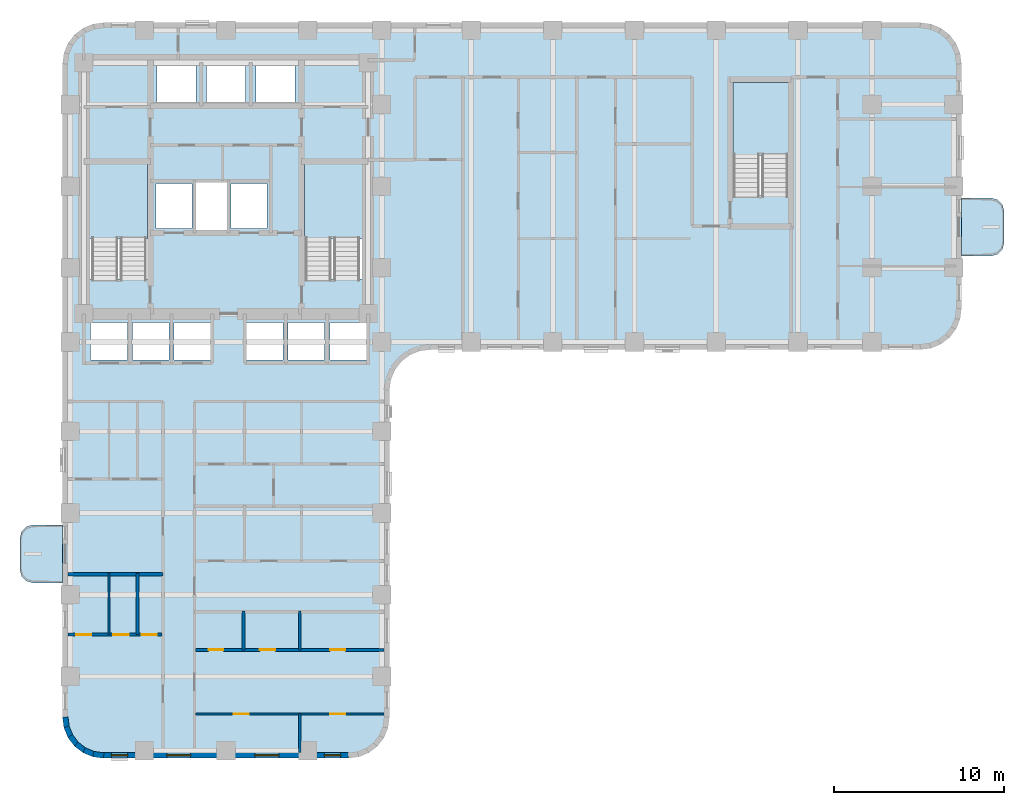
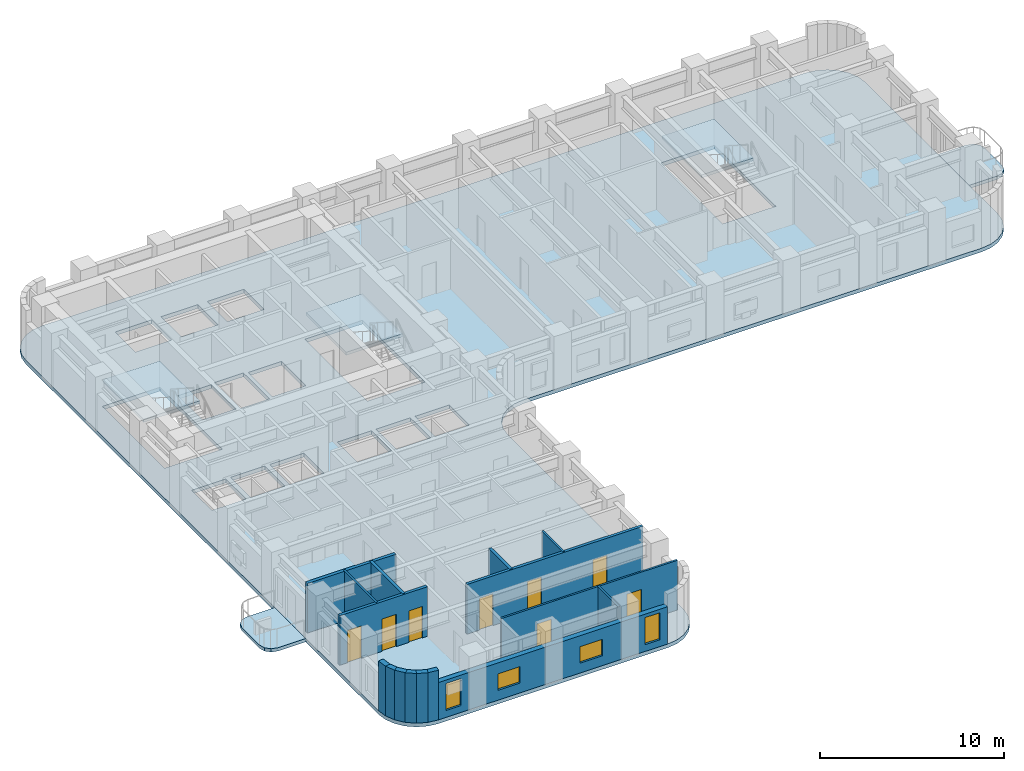
# One storey, part 2 of 11: 16 walls, 8 doors, 6 slabs, 4 windows, 12 openings, 3 elements without a shape of their own.
"""IFC4 building model written with IfcOpenShell, lengths in metres."""

from ifc_helpers import new_model, si_unit, direction, frame, frame_2d, origin, place, context, subcontext, project, spatial, polyline, rectangle, outline, extrude, material, layer, layer_set, type_object, element, fill, aggregate, save


model = new_model("IFC4")

# Units and contexts
model_context = context("Model", 3, precision=1e-05, world=origin(), true_north=direction((0.0, 1.0)))
body_context = subcontext(model_context, "Body", "Model", "MODEL_VIEW")
ifc_project = project(units=[si_unit("LENGTHUNIT", "METRE"), si_unit("AREAUNIT", "SQUARE_METRE"), si_unit("VOLUMEUNIT", "CUBIC_METRE"), si_unit("PLANEANGLEUNIT", "RADIAN"), si_unit("MASSUNIT", "GRAM", prefix="KILO")], contexts=[model_context])

# Site, building, storey
site_placement = place(None, origin())
site = spatial("IfcSite", under=ifc_project, at=site_placement, CompositionType="ELEMENT")
building_placement = place(site_placement, origin())
building = spatial("IfcBuilding", under=site, at=building_placement, Name="Orvandelia Arch Residences", CompositionType="ELEMENT")
storey_placement = place(building_placement, frame((0.0, 0.0, 93.39990234375)))
storey = spatial("IfcBuildingStorey", under=building, at=storey_placement, Name="L24", CompositionType="ELEMENT", Elevation=93.39990234375)

# Slabs
ifc_material_1 = material(Name="Precast concrete C40/50", Category="concrete")
ifc_layer_1 = layer(ifc_material_1, 0.219970703125, Name="Precast concrete C40/50", Category="concrete")
ifc_layer_set_1 = layer_set([ifc_layer_1], Name="Precast concrete C40/50")
slab_type_1 = type_object("IfcSlabType", Name="SLB-BAL-220", PredefinedType="USERDEFINED", material=ifc_layer_set_1)
slab_1_placement = place(storey_placement, frame((0.0, 0.0, -0.219970703125)))
element("IfcSlab", 1, at=slab_1_placement, inside=storey, type_object=slab_type_1, Name="Tree Balcony Cantilever Slab BAL-L24-W1", ObjectType="BALCONY", PredefinedType="USERDEFINED", context=body_context, shape_type="SweptSolid", body=[
    extrude(outline(polyline([(4.800048828125, 15.10009765625), (4.800048828125, 18.5), (3.050048828125, 18.5), (2.675048828125, 18.3994140625), (2.400390625, 18.125), (2.300048828125, 17.75), (2.300048828125, 15.85009765625), (2.400390625, 15.47509765625), (2.675048828125, 15.200439453125), (3.050048828125, 15.10009765625), (4.800048828125, 15.10009765625)])), origin(), (0.0, 0.0, 1.0), 0.219970703125),
])
slab_2_placement = place(storey_placement, frame((0.0, 0.0, -0.219970703125)))
element("IfcSlab", 2, at=slab_2_placement, inside=storey, type_object=slab_type_1, Name="Tree Balcony Cantilever Slab BAL-L24-E1", ObjectType="BALCONY", PredefinedType="USERDEFINED", context=body_context, shape_type="SweptSolid", body=[
    extrude(outline(polyline([(57.60009765625, 37.699951171875), (57.60009765625, 34.300048828125), (59.35009765625, 34.300048828125), (59.72509765625, 34.400390625), (59.99951171875, 34.675048828125), (60.10009765625, 35.050048828125), (60.10009765625, 36.949951171875), (59.99951171875, 37.324951171875), (59.72509765625, 37.599609375), (59.35009765625, 37.699951171875), (57.60009765625, 37.699951171875)])), origin(), (0.0, 0.0, 1.0), 0.219970703125),
])

# Stair, slab
ifc_material_2 = material(Name="Concrete C40/50", Category="concrete")
stair_type = type_object("IfcStairType", Name="STAIR-RC-DOGLEG", PredefinedType="HALF_TURN_STAIR", material=ifc_material_2)
stair_1_placement = place(storey_placement, origin())
stair_1 = element("IfcStair", 3, at=stair_1_placement, inside=storey, type_object=stair_type, Name="L24 Protected Exit Stair ST-1", PredefinedType="HALF_TURN_STAIR")
ifc_layer_2 = layer(ifc_material_2, 0.219970703125, Name="Concrete C40/50", Category="concrete")
ifc_layer_set_2 = layer_set([ifc_layer_2], Name="Concrete C40/50")
slab_type_2 = type_object("IfcSlabType", Name="SLB-LANDING-220", PredefinedType="LANDING", material=ifc_layer_set_2)
slab_3_placement = place(storey_placement, frame((0.0, 0.0, 1.60009765625)))
slab_3 = element("IfcSlab", 4, at=slab_3_placement, type_object=slab_type_2, Name="ST-1 landing 1", PredefinedType="LANDING", context=body_context, shape_type="SweptSolid", body=[
    extrude(outline(polyline([(9.800048828125, 35.31005859375), (9.800048828125, 39.68994140625), (6.260009765625, 39.68994140625), (6.260009765625, 35.31005859375), (9.800048828125, 35.31005859375)])), origin(), (0.0, 0.0, 1.0), 0.199951171875),
])
aggregate(stair_1, [slab_3])

stair_2_placement = place(storey_placement, origin())
stair_2 = element("IfcStair", 5, at=stair_2_placement, inside=storey, type_object=stair_type, Name="L24 Protected Exit Stair ST-2", PredefinedType="HALF_TURN_STAIR")
slab_4_placement = place(storey_placement, frame((0.0, 0.0, 1.60009765625)))
slab_4 = element("IfcSlab", 6, at=slab_4_placement, type_object=slab_type_2, Name="ST-2 landing 1", PredefinedType="LANDING", context=body_context, shape_type="SweptSolid", body=[
    extrude(outline(polyline([(22.5400390625, 35.31005859375), (22.5400390625, 39.68994140625), (19.0, 39.68994140625), (19.0, 35.31005859375), (22.5400390625, 35.31005859375)])), origin(), (0.0, 0.0, 1.0), 0.199951171875),
])
aggregate(stair_2, [slab_4])

stair_3_placement = place(storey_placement, origin())
stair_3 = element("IfcStair", 7, at=stair_3_placement, inside=storey, type_object=stair_type, Name="L24 East Wing Exit Stair ST-3", PredefinedType="HALF_TURN_STAIR")
slab_5_placement = place(storey_placement, frame((0.0, 0.0, 1.60009765625)))
slab_5 = element("IfcSlab", 8, at=slab_5_placement, type_object=slab_type_2, Name="ST-3 landing 1", PredefinedType="LANDING", context=body_context, shape_type="SweptSolid", body=[
    extrude(outline(polyline([(47.43994140625, 40.2099609375), (47.43994140625, 44.5), (44.179931640625, 44.5), (44.179931640625, 40.2099609375), (47.43994140625, 40.2099609375)])), origin(), (0.0, 0.0, 1.0), 0.199951171875),
])
aggregate(stair_3, [slab_5])

# Slab
ifc_layer_3 = layer(ifc_material_2, 0.25, Name="Concrete C40/50", Category="concrete")
ifc_layer_set_3 = layer_set([ifc_layer_3], Name="Concrete C40/50")
slab_type_3 = type_object("IfcSlabType", Name="SLB-TWR-250", PredefinedType="FLOOR", material=ifc_layer_set_3)
slab_6_placement = place(storey_placement, frame((0.0, 0.0, -0.25)))
element("IfcSlab", 9, at=slab_6_placement, inside=storey, type_object=slab_type_3, Name="Structural Floor Slab L24-1", PredefinedType="FLOOR", context=body_context, shape_type="SweptSolid", body=[
    extrude(outline(polyline([(4.800048828125, 7.199951171875), (4.8818359375, 6.578857421875), (5.12158203125, 6.0), (5.5029296875, 5.5029296875), (6.0, 5.12158203125), (6.578857421875, 4.8818359375), (7.199951171875, 4.800048828125), (21.60009765625, 4.800048828125), (22.22119140625, 4.8818359375), (22.800048828125, 5.12158203125), (23.297119140625, 5.5029296875), (23.678466796875, 6.0), (23.918212890625, 6.578857421875), (24.0, 7.199951171875), (24.0, 26.39990234375), (24.081787109375, 27.021240234375), (24.321533203125, 27.60009765625), (24.702880859375, 28.09716796875), (25.199951171875, 28.478515625), (25.77880859375, 28.71826171875), (26.39990234375, 28.800048828125), (55.199951171875, 28.800048828125), (55.8212890625, 28.8818359375), (56.39990234375, 29.12158203125), (56.897216796875, 29.5029296875), (57.278564453125, 30.0), (57.518310546875, 30.578857421875), (57.60009765625, 31.199951171875), (57.60009765625, 45.60009765625), (57.518310546875, 46.22119140625), (57.278564453125, 46.800048828125), (56.897216796875, 47.297119140625), (56.39990234375, 47.678466796875), (55.8212890625, 47.918212890625), (55.199951171875, 48.0), (7.199951171875, 48.0), (6.578857421875, 47.918212890625), (6.0, 47.678466796875), (5.5029296875, 47.297119140625), (5.12158203125, 46.800048828125), (4.8818359375, 46.22119140625), (4.800048828125, 45.60009765625), (4.800048828125, 7.199951171875)]), holes=[polyline([(6.219970703125, 32.949951171875), (9.840087890625, 32.949951171875), (9.840087890625, 39.72998046875), (6.219970703125, 39.72998046875), (6.219970703125, 32.949951171875)]), polyline([(18.9599609375, 32.949951171875), (22.580078125, 32.949951171875), (22.580078125, 39.72998046875), (18.9599609375, 39.72998046875), (18.9599609375, 32.949951171875)]), polyline([(44.139892578125, 37.85009765625), (47.47998046875, 37.85009765625), (47.47998046875, 44.5400390625), (44.139892578125, 44.5400390625), (44.139892578125, 37.85009765625)]), polyline([(12.639892578125, 35.81005859375), (14.4599609375, 35.81005859375), (14.4599609375, 38.639892578125), (12.639892578125, 38.639892578125), (12.639892578125, 35.81005859375)]), polyline([(10.300048828125, 35.89990234375), (12.39990234375, 35.89990234375), (12.39990234375, 38.550048828125), (10.300048828125, 38.550048828125), (10.300048828125, 35.89990234375)]), polyline([(14.699951171875, 35.89990234375), (16.800048828125, 35.89990234375), (16.800048828125, 38.550048828125), (14.699951171875, 38.550048828125), (14.699951171875, 35.89990234375)]), polyline([(10.35009765625, 43.300048828125), (12.64990234375, 43.300048828125), (12.64990234375, 45.5), (10.35009765625, 45.5), (10.35009765625, 43.300048828125)]), polyline([(13.25, 43.300048828125), (15.550048828125, 43.300048828125), (15.550048828125, 45.5), (13.25, 45.5), (13.25, 43.300048828125)]), polyline([(16.14990234375, 43.300048828125), (18.449951171875, 43.300048828125), (18.449951171875, 45.5), (16.14990234375, 45.5), (16.14990234375, 43.300048828125)]), polyline([(6.449951171875, 28.199951171875), (8.60009765625, 28.199951171875), (8.60009765625, 30.39990234375), (6.449951171875, 30.39990234375), (6.449951171875, 28.199951171875)]), polyline([(8.89990234375, 28.199951171875), (11.050048828125, 28.199951171875), (11.050048828125, 30.39990234375), (8.89990234375, 30.39990234375), (8.89990234375, 28.199951171875)]), polyline([(11.35009765625, 28.199951171875), (13.5, 28.199951171875), (13.5, 30.39990234375), (11.35009765625, 30.39990234375), (11.35009765625, 28.199951171875)]), polyline([(15.60009765625, 28.199951171875), (17.75, 28.199951171875), (17.75, 30.39990234375), (15.60009765625, 30.39990234375), (15.60009765625, 28.199951171875)]), polyline([(18.050048828125, 28.199951171875), (20.199951171875, 28.199951171875), (20.199951171875, 30.39990234375), (18.050048828125, 30.39990234375), (18.050048828125, 28.199951171875)]), polyline([(20.5, 28.199951171875), (22.64990234375, 28.199951171875), (22.64990234375, 30.39990234375), (20.5, 30.39990234375), (20.5, 28.199951171875)])]), origin(), (0.0, 0.0, 1.0), 0.25),
])

# Wall
ifc_layer_4 = layer(ifc_material_2, 0.199951171875, Name="Concrete C40/50", Category="concrete")
ifc_layer_set_4 = layer_set([ifc_layer_4], Name="Concrete C40/50")
wall_type_1 = type_object("IfcWallType", Name="WL-DEM-200", PredefinedType="SOLIDWALL", material=ifc_layer_set_4)
wall_1_placement = place(storey_placement, frame((5.1201171875, 15.60009765625, 0.0), z_axis=(0.0, 0.0, 1.0), x_axis=(1.0, 0.0, 0.0)))
element("IfcWall", 10, at=wall_1_placement, inside=storey, type_object=wall_type_1, Name="Interior Partition Wall WL-L24-DEM-WL-156", PredefinedType="SOLIDWALL", context=body_context, shape_type="SweptSolid", body=[
    extrude(rectangle(XDim=5.579833984375, YDim=0.199951171875, at=frame_2d((2.7900390625, 0.0))), origin(), (0.0, 0.0, 1.0), 3.300048828125),
])

# Wall, openings, windows
ifc_layer_5 = layer(ifc_material_1, 0.320068359375, Name="Precast concrete C40/50", Category="concrete")
ifc_layer_set_5 = layer_set([ifc_layer_5], Name="Precast concrete C40/50")
wall_type_2 = type_object("IfcWallType", Name="WL-EXT-STONE-320", PredefinedType="STANDARD", material=ifc_layer_set_5)
wall_2_placement = place(storey_placement, frame((21.60009765625, 4.9599609375, 0.0), z_axis=(0.0, 0.0, 1.0), x_axis=(-1.0, 0.0, 0.0)))
wall_2 = element("IfcWall", 11, at=wall_2_placement, inside=storey, type_object=wall_type_2, Name="Coral-Limestone Precast Facade Wall L24-035", PredefinedType="STANDARD", context=body_context, shape_type="SweptSolid", body=[
    extrude(rectangle(XDim=14.400146484375, YDim=0.320068359375, at=frame_2d((7.2001953125, 0.0))), origin(), (0.0, 0.0, 1.0), 2.47998046875),
])
opening_1_placement = place(wall_2_placement, frame((0.469970703125, 0.0, 0.449951171875)))
opening_1 = element("IfcOpeningElement", 12, at=opening_1_placement, cuts=wall_2, Name="Opening W4", PredefinedType="OPENING", context=body_context, shape_type="SweptSolid", body=[
    extrude(rectangle(XDim=0.949951171875, YDim=1.800048828125, at=frame_2d((0.47509765625, 0.89990234375))), frame((0.0, 0.169921875, 0.0), z_axis=(0.0, -1.0, 0.0), x_axis=(1.0, 0.0, 0.0)), (0.0, 0.0, 1.0), 0.340087890625),
])
opening_2_placement = place(wall_2_placement, frame((9.27490234375, 0.0, 0.64990234375)))
opening_2 = element("IfcOpeningElement", 13, at=opening_2_placement, cuts=wall_2, Name="Opening W10", PredefinedType="OPENING", context=body_context, shape_type="SweptSolid", body=[
    extrude(rectangle(XDim=1.39990234375, YDim=1.10009765625, at=frame_2d((0.699951171875, 0.550048828125))), frame((0.0, 0.169921875, 0.0), z_axis=(0.0, -1.0, 0.0), x_axis=(1.0, 0.0, 0.0)), (0.0, 0.0, 1.0), 0.340087890625),
])
opening_3_placement = place(wall_2_placement, frame((12.97998046875, 0.0, 0.449951171875)))
opening_3 = element("IfcOpeningElement", 14, at=opening_3_placement, cuts=wall_2, Name="Opening W4", PredefinedType="OPENING", context=body_context, shape_type="SweptSolid", body=[
    extrude(rectangle(XDim=0.949951171875, YDim=1.800048828125, at=frame_2d((0.47509765625, 0.89990234375))), frame((0.0, 0.169921875, 0.0), z_axis=(0.0, -1.0, 0.0), x_axis=(1.0, 0.0, 0.0)), (0.0, 0.0, 1.0), 0.340087890625),
])
opening_4_placement = place(wall_2_placement, frame((4.10009765625, 0.0, 0.64990234375)))
opening_4 = element("IfcOpeningElement", 15, at=opening_4_placement, cuts=wall_2, Name="Opening W10", PredefinedType="OPENING", context=body_context, shape_type="SweptSolid", body=[
    extrude(rectangle(XDim=1.39990234375, YDim=1.10009765625, at=frame_2d((0.699951171875, 0.550048828125))), frame((0.0, 0.169921875, 0.0), z_axis=(0.0, -1.0, 0.0), x_axis=(1.0, 0.0, 0.0)), (0.0, 0.0, 1.0), 0.340087890625),
])
ifc_material_3 = material(Name="Tempered Low-E Insulated Glazing", Category="glass")
window_type_1 = type_object("IfcWindowType", Name="WIN-CLR-1400x1100", PartitioningType="SINGLE_PANEL", PredefinedType="WINDOW", material=ifc_material_3)
window_1_placement = place(opening_2_placement, origin())
window_1 = element("IfcWindow", 16, at=window_1_placement, inside=storey, type_object=window_type_1, Name="Recessed Punched Window L24-023", OverallHeight=1.10009765625, OverallWidth=1.39990234375, PartitioningType="SINGLE_PANEL", PredefinedType="WINDOW", context=body_context, shape_type="SweptSolid", body=[
    extrude(rectangle(XDim=1.39990234375, YDim=1.10009765625, at=frame_2d((0.699951171875, 0.550048828125))), frame((0.0, 0.030029296875, 0.0), z_axis=(0.0, -1.0, 0.0), x_axis=(1.0, 0.0, 0.0)), (0.0, 0.0, 1.0), 0.06005859375),
])
fill(opening_2, window_1)
window_2_placement = place(opening_4_placement, origin())
window_2 = element("IfcWindow", 17, at=window_2_placement, inside=storey, type_object=window_type_1, Name="Recessed Punched Window L24-025", OverallHeight=1.10009765625, OverallWidth=1.39990234375, PartitioningType="SINGLE_PANEL", PredefinedType="WINDOW", context=body_context, shape_type="SweptSolid", body=[
    extrude(rectangle(XDim=1.39990234375, YDim=1.10009765625, at=frame_2d((0.699951171875, 0.550048828125))), frame((0.0, 0.030029296875, 0.0), z_axis=(0.0, -1.0, 0.0), x_axis=(1.0, 0.0, 0.0)), (0.0, 0.0, 1.0), 0.06005859375),
])
fill(opening_4, window_2)
window_type_2 = type_object("IfcWindowType", Name="WIN-RES-0950x1800", PartitioningType="SINGLE_PANEL", PredefinedType="WINDOW", material=ifc_material_3)
window_3_placement = place(opening_1_placement, origin())
window_3 = element("IfcWindow", 18, at=window_3_placement, inside=storey, type_object=window_type_2, Name="Recessed Punched Window L24-022", OverallHeight=1.800048828125, OverallWidth=0.949951171875, PartitioningType="SINGLE_PANEL", PredefinedType="WINDOW", context=body_context, shape_type="SweptSolid", body=[
    extrude(rectangle(XDim=0.949951171875, YDim=1.800048828125, at=frame_2d((0.47509765625, 0.89990234375))), frame((0.0, 0.030029296875, 0.0), z_axis=(0.0, -1.0, 0.0), x_axis=(1.0, 0.0, 0.0)), (0.0, 0.0, 1.0), 0.06005859375),
])
fill(opening_1, window_3)
window_4_placement = place(opening_3_placement, origin())
window_4 = element("IfcWindow", 19, at=window_4_placement, inside=storey, type_object=window_type_2, Name="Recessed Punched Window L24-024", OverallHeight=1.800048828125, OverallWidth=0.949951171875, PartitioningType="SINGLE_PANEL", PredefinedType="WINDOW", context=body_context, shape_type="SweptSolid", body=[
    extrude(rectangle(XDim=0.949951171875, YDim=1.800048828125, at=frame_2d((0.47509765625, 0.89990234375))), frame((0.0, 0.030029296875, 0.0), z_axis=(0.0, -1.0, 0.0), x_axis=(1.0, 0.0, 0.0)), (0.0, 0.0, 1.0), 0.06005859375),
])
fill(opening_3, window_4)

# Walls
wall_3_placement = place(storey_placement, frame((7.220947265625, 4.95849609375, 0.0), z_axis=(0.0, 0.0, 1.0), x_axis=(-0.991447664465, 0.130504898859, 0.0)))
element("IfcWall", 20, at=wall_3_placement, inside=storey, type_object=wall_type_2, Name="Coral-Limestone Precast Facade Wall L24-036", PredefinedType="STANDARD", context=body_context, shape_type="SweptSolid", body=[
    extrude(rectangle(XDim=0.626708984375, YDim=0.320068359375, at=frame_2d((0.3134765625, 0.0))), origin(), (0.0, 0.0, 1.0), 3.300048828125),
])
wall_4_placement = place(storey_placement, frame((6.639892578125, 5.029541015625, 0.0), z_axis=(0.0, 0.0, 1.0), x_axis=(-0.923836271867, 0.382787856107, 0.0)))
element("IfcWall", 21, at=wall_4_placement, inside=storey, type_object=wall_type_2, Name="Coral-Limestone Precast Facade Wall L24-037", PredefinedType="STANDARD", context=body_context, shape_type="SweptSolid", body=[
    extrude(rectangle(XDim=0.626220703125, YDim=0.320068359375, at=frame_2d((0.31298828125, 0.0))), origin(), (0.0, 0.0, 1.0), 3.300048828125),
])
for number, where, z_axis, x_axis, name in (
    (22, (6.097412109375, 5.248291015625, 0.0), (0.0, 0.0, 1.0), (-0.7932174212, 0.608938521285, 0.0), "Coral-Limestone Precast Facade Wall L24-038"),
    (23, (5.6298828125, 5.600341796875, 0.0), (0.0, 0.0, 1.0), (-0.608938521285, 0.7932174212, 0.0), "Coral-Limestone Precast Facade Wall L24-039"),
):
    element("IfcWall", number, at=place(storey_placement, frame(where, z_axis=z_axis, x_axis=x_axis)), inside=storey, type_object=wall_type_2, Name=name, PredefinedType="STANDARD", context=body_context, shape_type="SweptSolid", body=[
        extrude(rectangle(XDim=0.626708984375, YDim=0.320068359375, at=frame_2d((0.3134765625, 0.0))), origin(), (0.0, 0.0, 1.0), 3.300048828125),
    ])
wall_5_placement = place(storey_placement, frame((5.269287109375, 6.061279296875, 0.0), z_axis=(0.0, 0.0, 1.0), x_axis=(-0.382787856107, 0.923836271867, 0.0)))
element("IfcWall", 24, at=wall_5_placement, inside=storey, type_object=wall_type_2, Name="Coral-Limestone Precast Facade Wall L24-040", PredefinedType="STANDARD", context=body_context, shape_type="SweptSolid", body=[
    extrude(rectangle(XDim=0.626220703125, YDim=0.320068359375, at=frame_2d((0.31298828125, 0.0))), origin(), (0.0, 0.0, 1.0), 3.300048828125),
])
wall_6_placement = place(storey_placement, frame((5.040283203125, 6.599609375, 0.0), z_axis=(0.0, 0.0, 1.0), x_axis=(-0.130504898859, 0.991447664465, 0.0)))
element("IfcWall", 25, at=wall_6_placement, inside=storey, type_object=wall_type_2, Name="Coral-Limestone Precast Facade Wall L24-041", PredefinedType="STANDARD", context=body_context, shape_type="SweptSolid", body=[
    extrude(rectangle(XDim=0.626708984375, YDim=0.320068359375, at=frame_2d((0.3134765625, 0.0))), origin(), (0.0, 0.0, 1.0), 3.300048828125),
])
ifc_material_4 = material(Name="Lightweight Gypsum Stud Partition")
ifc_layer_6 = layer(ifc_material_4, 0.1201171875, Name="Lightweight Gypsum Stud Partition")
ifc_layer_set_6 = layer_set([ifc_layer_6], Name="Lightweight Gypsum Stud Partition")
wall_type_3 = type_object("IfcWallType", Name="WL-PART-120", PredefinedType="PARTITIONING", material=ifc_layer_set_6)
wall_7_placement = place(storey_placement, frame((7.514892578125, 12.06005859375, 0.0), z_axis=(0.0, 0.0, 1.0), x_axis=(0.0, 1.0, 0.0)))
element("IfcWall", 26, at=wall_7_placement, inside=storey, type_object=wall_type_3, Name="Interior Partition Wall WL-L24-U01-V1", PredefinedType="PARTITIONING", context=body_context, shape_type="SweptSolid", body=[
    extrude(rectangle(XDim=3.579833984375, YDim=0.1201171875, at=frame_2d((1.7900390625, 0.0))), origin(), (0.0, 0.0, 1.0), 3.300048828125),
])

# Wall, openings, doors
wall_8_placement = place(storey_placement, frame((12.610107421875, 7.39794921875, 0.0), z_axis=(0.0, 0.0, 1.0), x_axis=(1.0, 0.0, 0.0)))
wall_8 = element("IfcWall", 27, at=wall_8_placement, inside=storey, type_object=wall_type_3, Name="Interior Partition Wall WL-L24-U03-HB", PredefinedType="PARTITIONING", context=body_context, shape_type="SweptSolid", body=[
    extrude(rectangle(XDim=11.06982421875, YDim=0.1201171875, at=frame_2d((5.534912109375, 0.0))), origin(), (0.0, 0.0, 1.0), 3.300048828125),
])
opening_5_placement = place(wall_8_placement, frame((2.2373046875, 0.0, 0.0)))
opening_5 = element("IfcOpeningElement", 28, at=opening_5_placement, cuts=wall_8, Name="Opening D3", PredefinedType="OPENING", context=body_context, shape_type="SweptSolid", body=[
    extrude(rectangle(XDim=0.89990234375, YDim=2.14990234375, at=frame_2d((0.449951171875, 1.074951171875))), frame((0.0, 0.070068359375, 0.0), z_axis=(0.0, -1.0, 0.0), x_axis=(1.0, 0.0, 0.0)), (0.0, 0.0, 1.0), 0.14013671875),
])
opening_6_placement = place(wall_8_placement, frame((7.903076171875, 0.0, 0.0)))
opening_6 = element("IfcOpeningElement", 29, at=opening_6_placement, cuts=wall_8, Name="Opening D3", PredefinedType="OPENING", context=body_context, shape_type="SweptSolid", body=[
    extrude(rectangle(XDim=0.89990234375, YDim=2.14990234375, at=frame_2d((0.449951171875, 1.074951171875))), frame((0.0, 0.070068359375, 0.0), z_axis=(0.0, -1.0, 0.0), x_axis=(1.0, 0.0, 0.0)), (0.0, 0.0, 1.0), 0.14013671875),
])
ifc_material_5 = material(Name="Engineered Timber Flush Door", Category="wood")
door_type_1 = type_object("IfcDoorType", Name="DR-INT-900", OperationType="NOTDEFINED", PredefinedType="DOOR", material=ifc_material_5)
door_1_placement = place(opening_5_placement, origin())
door_1 = element("IfcDoor", 30, at=door_1_placement, inside=storey, type_object=door_type_1, Name="DR-L24-U03-STDY", OperationType="SINGLE_SWING_LEFT", OverallHeight=2.14990234375, OverallWidth=0.89990234375, PredefinedType="DOOR", context=body_context, shape_type="SweptSolid", body=[
    extrude(rectangle(XDim=0.89990234375, YDim=2.14990234375, at=frame_2d((0.449951171875, 1.074951171875))), frame((0.0, 0.02490234375, 0.0), z_axis=(0.0, -1.0, 0.0), x_axis=(1.0, 0.0, 0.0)), (0.0, 0.0, 1.0), 0.050048828125),
])
fill(opening_5, door_1)
door_2_placement = place(opening_6_placement, origin())
door_2 = element("IfcDoor", 31, at=door_2_placement, inside=storey, type_object=door_type_1, Name="DR-L24-U03-BD2", OperationType="SINGLE_SWING_RIGHT", OverallHeight=2.14990234375, OverallWidth=0.89990234375, PredefinedType="DOOR", context=body_context, shape_type="SweptSolid", body=[
    extrude(rectangle(XDim=0.89990234375, YDim=2.14990234375, at=frame_2d((0.449951171875, 1.074951171875))), frame((0.0, 0.02490234375, 0.0), z_axis=(0.0, -1.0, 0.0), x_axis=(1.0, 0.0, 0.0)), (0.0, 0.0, 1.0), 0.050048828125),
])
fill(opening_6, door_2)

# Walls
wall_9_placement = place(storey_placement, frame((18.73193359375, 5.1201171875, 0.0), z_axis=(0.0, 0.0, 1.0), x_axis=(0.0, 1.0, 0.0)))
element("IfcWall", 32, at=wall_9_placement, inside=storey, type_object=wall_type_3, Name="Interior Partition Wall WL-L24-U03-VB", PredefinedType="PARTITIONING", context=body_context, shape_type="SweptSolid", body=[
    extrude(rectangle(XDim=2.27783203125, YDim=0.1201171875, at=frame_2d((1.138916015625, 0.0))), origin(), (0.0, 0.0, 1.0), 3.300048828125),
])
wall_10_placement = place(storey_placement, frame((18.73193359375, 11.159912109375, 0.0), z_axis=(0.0, 0.0, 1.0), x_axis=(0.0, 1.0, 0.0)))
element("IfcWall", 33, at=wall_10_placement, inside=storey, type_object=wall_type_3, Name="Interior Partition Wall WL-L24-U03-V2", PredefinedType="PARTITIONING", context=body_context, shape_type="SweptSolid", body=[
    extrude(rectangle(XDim=2.280029296875, YDim=0.1201171875, at=frame_2d((1.14013671875, 0.0))), origin(), (0.0, 0.0, 1.0), 3.300048828125),
])

# Wall, openings, doors
ifc_material_6 = material(Name="Moisture-Resistant Plumbing Wall")
ifc_layer_7 = layer(ifc_material_6, 0.179931640625, Name="Moisture-Resistant Plumbing Wall")
ifc_layer_set_7 = layer_set([ifc_layer_7], Name="Moisture-Resistant Plumbing Wall")
wall_type_4 = type_object("IfcWallType", Name="WL-WET-180", PredefinedType="PLUMBINGWALL", material=ifc_layer_set_7)
wall_11_placement = place(storey_placement, frame((5.1201171875, 12.06005859375, 0.0), z_axis=(0.0, 0.0, 1.0), x_axis=(1.0, 0.0, 0.0)))
wall_11 = element("IfcWall", 34, at=wall_11_placement, inside=storey, type_object=wall_type_4, Name="Interior Partition Wall WL-L24-U01-HZ", PredefinedType="PLUMBINGWALL", context=body_context, shape_type="SweptSolid", body=[
    extrude(rectangle(XDim=5.519775390625, YDim=0.179931640625, at=frame_2d((2.759765625, 0.0))), origin(), (0.0, 0.0, 1.0), 3.300048828125),
])
opening_7_placement = place(wall_11_placement, frame((0.47216796875, 0.0, 0.0)))
opening_7 = element("IfcOpeningElement", 35, at=opening_7_placement, cuts=wall_11, Name="Opening D3", PredefinedType="OPENING", context=body_context, shape_type="SweptSolid", body=[
    extrude(rectangle(XDim=0.89990234375, YDim=2.14990234375, at=frame_2d((0.449951171875, 1.074951171875))), frame((0.0, 0.10009765625, 0.0), z_axis=(0.0, -1.0, 0.0), x_axis=(1.0, 0.0, 0.0)), (0.0, 0.0, 1.0), 0.199951171875),
])
opening_8_placement = place(wall_11_placement, frame((2.655029296875, 0.0, 0.0)))
opening_8 = element("IfcOpeningElement", 36, at=opening_8_placement, cuts=wall_11, Name="Opening D3", PredefinedType="OPENING", context=body_context, shape_type="SweptSolid", body=[
    extrude(rectangle(XDim=0.89990234375, YDim=2.14990234375, at=frame_2d((0.449951171875, 1.074951171875))), frame((0.0, 0.10009765625, 0.0), z_axis=(0.0, -1.0, 0.0), x_axis=(1.0, 0.0, 0.0)), (0.0, 0.0, 1.0), 0.199951171875),
])
opening_9_placement = place(wall_11_placement, frame((4.342041015625, 0.0, 0.0)))
opening_9 = element("IfcOpeningElement", 37, at=opening_9_placement, cuts=wall_11, Name="Opening D4", PredefinedType="OPENING", context=body_context, shape_type="SweptSolid", body=[
    extrude(rectangle(XDim=0.860107421875, YDim=2.10009765625, at=frame_2d((0.43017578125, 1.050048828125))), frame((0.0, 0.10009765625, 0.0), z_axis=(0.0, -1.0, 0.0), x_axis=(1.0, 0.0, 0.0)), (0.0, 0.0, 1.0), 0.199951171875),
])
door_3_placement = place(opening_7_placement, origin())
door_3 = element("IfcDoor", 38, at=door_3_placement, inside=storey, type_object=door_type_1, Name="DR-L24-U01-BD1", OperationType="SINGLE_SWING_LEFT", OverallHeight=2.14990234375, OverallWidth=0.89990234375, PredefinedType="DOOR", context=body_context, shape_type="SweptSolid", body=[
    extrude(rectangle(XDim=0.89990234375, YDim=2.14990234375, at=frame_2d((0.449951171875, 1.074951171875))), frame((0.0, 0.02490234375, 0.0), z_axis=(0.0, -1.0, 0.0), x_axis=(1.0, 0.0, 0.0)), (0.0, 0.0, 1.0), 0.050048828125),
])
fill(opening_7, door_3)
door_4_placement = place(opening_8_placement, origin())
door_4 = element("IfcDoor", 39, at=door_4_placement, inside=storey, type_object=door_type_1, Name="DR-L24-U01-KIT", OperationType="SINGLE_SWING_RIGHT", OverallHeight=2.14990234375, OverallWidth=0.89990234375, PredefinedType="DOOR", context=body_context, shape_type="SweptSolid", body=[
    extrude(rectangle(XDim=0.89990234375, YDim=2.14990234375, at=frame_2d((0.449951171875, 1.074951171875))), frame((0.0, 0.02490234375, 0.0), z_axis=(0.0, -1.0, 0.0), x_axis=(1.0, 0.0, 0.0)), (0.0, 0.0, 1.0), 0.050048828125),
])
fill(opening_8, door_4)
ifc_material_7 = material(Name="Moisture-Sealed Timber Bathroom Door", Category="wood")
door_type_2 = type_object("IfcDoorType", Name="DR-WET-900", OperationType="NOTDEFINED", PredefinedType="DOOR", material=ifc_material_7)
door_5_placement = place(opening_9_placement, origin())
door_5 = element("IfcDoor", 40, at=door_5_placement, inside=storey, type_object=door_type_2, Name="DR-L24-U01-BTH", OperationType="SINGLE_SWING_LEFT", OverallHeight=2.10009765625, OverallWidth=0.860107421875, PredefinedType="DOOR", context=body_context, shape_type="SweptSolid", body=[
    extrude(rectangle(XDim=0.860107421875, YDim=2.10009765625, at=frame_2d((0.43017578125, 1.050048828125))), frame((0.0, 0.02490234375, 0.0), z_axis=(0.0, -1.0, 0.0), x_axis=(1.0, 0.0, 0.0)), (0.0, 0.0, 1.0), 0.050048828125),
])
fill(opening_9, door_5)

# Wall
wall_12_placement = place(storey_placement, frame((9.201904296875, 12.06005859375, 0.0), z_axis=(0.0, 0.0, 1.0), x_axis=(0.0, 1.0, 0.0)))
element("IfcWall", 41, at=wall_12_placement, inside=storey, type_object=wall_type_4, Name="Interior Partition Wall WL-L24-U01-V2", PredefinedType="PLUMBINGWALL", context=body_context, shape_type="SweptSolid", body=[
    extrude(rectangle(XDim=3.579833984375, YDim=0.179931640625, at=frame_2d((1.7900390625, 0.0))), origin(), (0.0, 0.0, 1.0), 3.300048828125),
])

# Wall, openings, doors
wall_13_placement = place(storey_placement, frame((12.610107421875, 11.159912109375, 0.0), z_axis=(0.0, 0.0, 1.0), x_axis=(1.0, 0.0, 0.0)))
wall_13 = element("IfcWall", 42, at=wall_13_placement, inside=storey, type_object=wall_type_4, Name="Interior Partition Wall WL-L24-U03-HZ", PredefinedType="PLUMBINGWALL", context=body_context, shape_type="SweptSolid", body=[
    extrude(rectangle(XDim=11.06982421875, YDim=0.179931640625, at=frame_2d((5.534912109375, 0.0))), origin(), (0.0, 0.0, 1.0), 3.300048828125),
])
opening_10_placement = place(wall_13_placement, frame((0.772216796875, 0.0, 0.0)))
opening_10 = element("IfcOpeningElement", 43, at=opening_10_placement, cuts=wall_13, Name="Opening D4", PredefinedType="OPENING", context=body_context, shape_type="SweptSolid", body=[
    extrude(rectangle(XDim=0.860107421875, YDim=2.10009765625, at=frame_2d((0.43017578125, 1.050048828125))), frame((0.0, 0.10009765625, 0.0), z_axis=(0.0, -1.0, 0.0), x_axis=(1.0, 0.0, 0.0)), (0.0, 0.0, 1.0), 0.199951171875),
])
opening_11_placement = place(wall_13_placement, frame((3.7861328125, 0.0, 0.0)))
opening_11 = element("IfcOpeningElement", 44, at=opening_11_placement, cuts=wall_13, Name="Opening D3", PredefinedType="OPENING", context=body_context, shape_type="SweptSolid", body=[
    extrude(rectangle(XDim=0.89990234375, YDim=2.14990234375, at=frame_2d((0.449951171875, 1.074951171875))), frame((0.0, 0.10009765625, 0.0), z_axis=(0.0, -1.0, 0.0), x_axis=(1.0, 0.0, 0.0)), (0.0, 0.0, 1.0), 0.199951171875),
])
opening_12_placement = place(wall_13_placement, frame((7.903076171875, 0.0, 0.0)))
opening_12 = element("IfcOpeningElement", 45, at=opening_12_placement, cuts=wall_13, Name="Opening D3", PredefinedType="OPENING", context=body_context, shape_type="SweptSolid", body=[
    extrude(rectangle(XDim=0.89990234375, YDim=2.14990234375, at=frame_2d((0.449951171875, 1.074951171875))), frame((0.0, 0.10009765625, 0.0), z_axis=(0.0, -1.0, 0.0), x_axis=(1.0, 0.0, 0.0)), (0.0, 0.0, 1.0), 0.199951171875),
])
door_6_placement = place(opening_11_placement, origin())
door_6 = element("IfcDoor", 46, at=door_6_placement, inside=storey, type_object=door_type_1, Name="DR-L24-U03-KIT", OperationType="SINGLE_SWING_LEFT", OverallHeight=2.14990234375, OverallWidth=0.89990234375, PredefinedType="DOOR", context=body_context, shape_type="SweptSolid", body=[
    extrude(rectangle(XDim=0.89990234375, YDim=2.14990234375, at=frame_2d((0.449951171875, 1.074951171875))), frame((0.0, 0.02490234375, 0.0), z_axis=(0.0, -1.0, 0.0), x_axis=(1.0, 0.0, 0.0)), (0.0, 0.0, 1.0), 0.050048828125),
])
fill(opening_11, door_6)
door_7_placement = place(opening_12_placement, origin())
door_7 = element("IfcDoor", 47, at=door_7_placement, inside=storey, type_object=door_type_1, Name="DR-L24-U03-BD1", OperationType="SINGLE_SWING_RIGHT", OverallHeight=2.14990234375, OverallWidth=0.89990234375, PredefinedType="DOOR", context=body_context, shape_type="SweptSolid", body=[
    extrude(rectangle(XDim=0.89990234375, YDim=2.14990234375, at=frame_2d((0.449951171875, 1.074951171875))), frame((0.0, 0.02490234375, 0.0), z_axis=(0.0, -1.0, 0.0), x_axis=(1.0, 0.0, 0.0)), (0.0, 0.0, 1.0), 0.050048828125),
])
fill(opening_12, door_7)
door_8_placement = place(opening_10_placement, origin())
door_8 = element("IfcDoor", 48, at=door_8_placement, inside=storey, type_object=door_type_2, Name="DR-L24-U03-BTH", OperationType="SINGLE_SWING_RIGHT", OverallHeight=2.10009765625, OverallWidth=0.860107421875, PredefinedType="DOOR", context=body_context, shape_type="SweptSolid", body=[
    extrude(rectangle(XDim=0.860107421875, YDim=2.10009765625, at=frame_2d((0.43017578125, 1.050048828125))), frame((0.0, 0.02490234375, 0.0), z_axis=(0.0, -1.0, 0.0), x_axis=(1.0, 0.0, 0.0)), (0.0, 0.0, 1.0), 0.050048828125),
])
fill(opening_10, door_8)

# Wall
wall_14_placement = place(storey_placement, frame((15.426025390625, 11.159912109375, 0.0), z_axis=(0.0, 0.0, 1.0), x_axis=(0.0, 1.0, 0.0)))
element("IfcWall", 49, at=wall_14_placement, inside=storey, type_object=wall_type_4, Name="Interior Partition Wall WL-L24-U03-V1", PredefinedType="PLUMBINGWALL", context=body_context, shape_type="SweptSolid", body=[
    extrude(rectangle(XDim=2.280029296875, YDim=0.179931640625, at=frame_2d((1.14013671875, 0.0))), origin(), (0.0, 0.0, 1.0), 3.300048828125),
])

save(model, "model.ifc")
